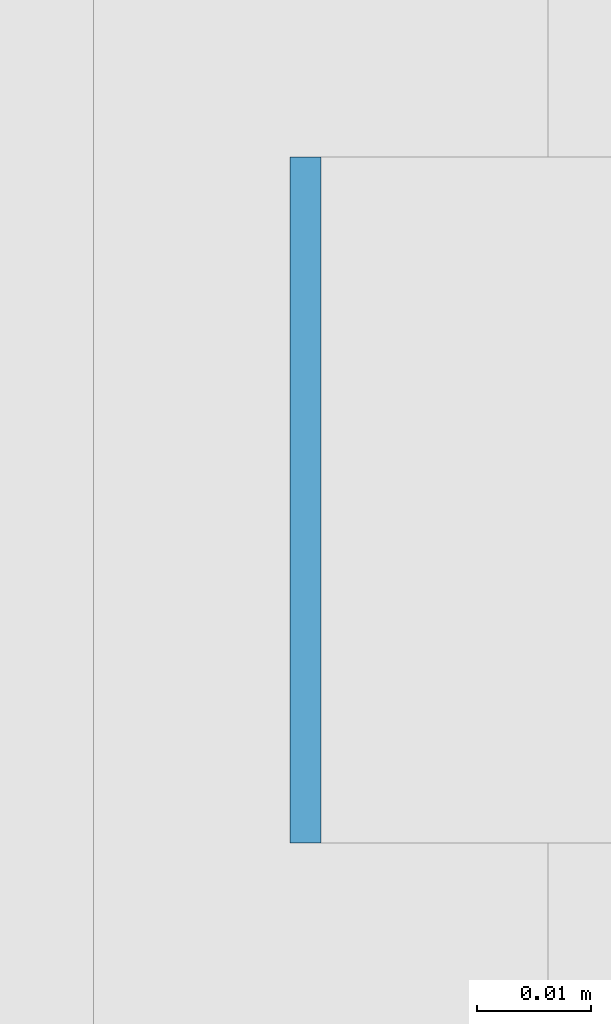
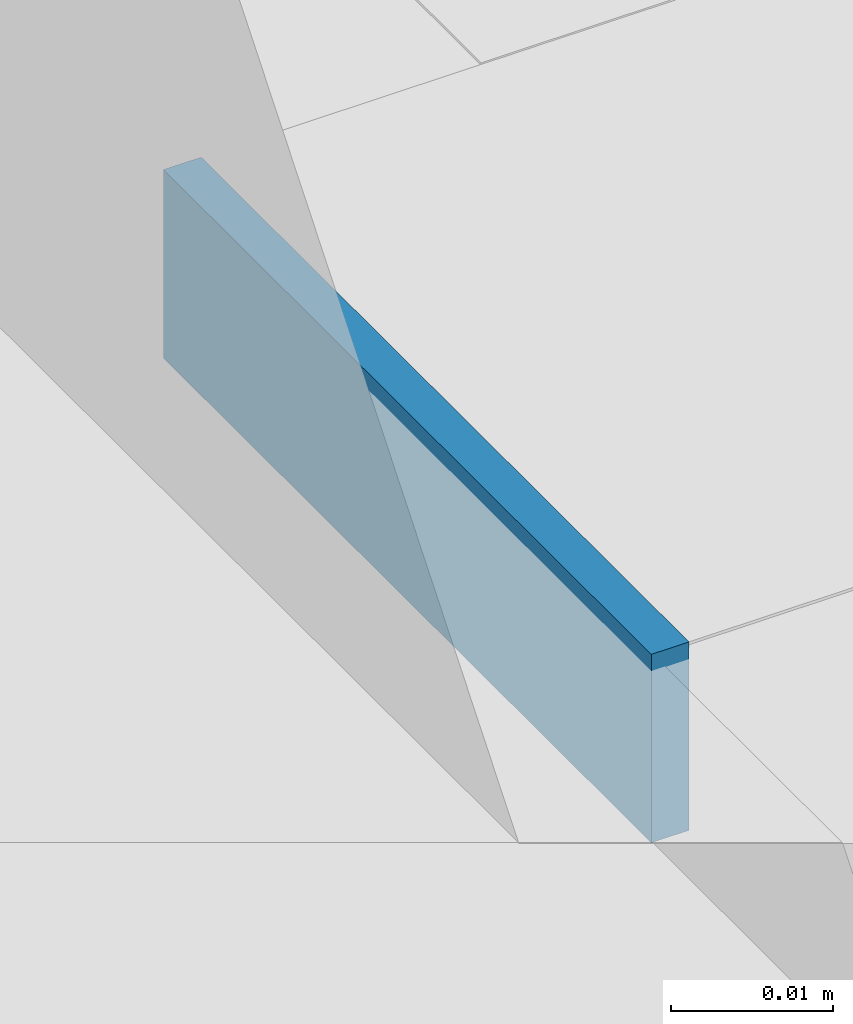
# One storey, part 613 of 646: 1 discrete accessory.
"""IFC4 building model written with IfcOpenShell, lengths in metres."""

import ifcopenshell
import ifcopenshell.guid

model = None  # the IFC model being written
_history = None  # IfcOwnerHistory: only IFC2X3 demands one
_inside = {}  # id of a spatial element -> (the spatial element, [elements in it])
_under = {}  # id of a project, library or spatial element -> (it, [spatial elements below it])
_declared = {}  # id of a project -> (the project, [libraries it declares])
_typed = {}  # id of a type object -> (the type object, [elements of that type])
_made_of = {}  # id of a material, layer set ... -> (it, [elements and type objects made of it])


def new_model(schema):
    """Start an empty IFC model of exactly this schema.

    Asked for "IFC4X3", IfcOpenShell would pick the latest addendum, in which some entities
    have other attributes; the version numbers below select the first issue.
    IFC2X3 requires an IfcOwnerHistory on every rooted entity: one is made here for all.
    """
    global model, _history
    if schema == "IFC4X3":
        model = ifcopenshell.file(schema_version=(4, 3, 0, 0))
    else:
        model = ifcopenshell.file(schema=schema)
    _inside.clear()
    _under.clear()
    _declared.clear()
    _typed.clear()
    _made_of.clear()
    _history = None
    if model.schema == "IFC2X3":
        org = make("IfcOrganization", Name="unknown")
        user = make(
            "IfcPersonAndOrganization",
            ThePerson=make("IfcPerson", FamilyName="unknown"),
            TheOrganization=org,
        )
        app = make(
            "IfcApplication",
            ApplicationDeveloper=org,
            Version="unknown",
            ApplicationFullName="unknown",
            ApplicationIdentifier="unknown",
        )
        _history = make(
            "IfcOwnerHistory",
            OwningUser=user,
            OwningApplication=app,
            ChangeAction="ADDED",
            CreationDate=0,
        )
    return model


def make(cls, **values):
    """One entity of the class cls with the attributes given. An attribute that is None is left unset."""
    return model.create_entity(
        cls, **{name: value for name, value in values.items() if value is not None}
    )


def rooted(cls, **values):
    """An entity with a GlobalId (a new one), such as an element, a storey or a relation."""
    return make(cls, GlobalId=ifcopenshell.guid.new(), OwnerHistory=_history, **values)


def si_unit(unit_type, name, prefix=None):
    """IfcSIUnit, for example si_unit("LENGTHUNIT", "METRE", prefix="MILLI")."""
    return make("IfcSIUnit", UnitType=unit_type, Prefix=prefix, Name=name)


def assignment(units):
    """IfcUnitAssignment: the units of a project."""
    return None if units is None else make("IfcUnitAssignment", Units=units)


def point(xyz):
    """IfcCartesianPoint."""
    return None if xyz is None else make("IfcCartesianPoint", Coordinates=xyz)


def direction(xyz):
    """IfcDirection."""
    return None if xyz is None else make("IfcDirection", DirectionRatios=xyz)


def frame(location, z_axis=None, x_axis=None):
    """IfcAxis2Placement3D, a coordinate frame: its origin and axes. An axis left out is left unset."""
    return make(
        "IfcAxis2Placement3D",
        Location=point(location),
        Axis=direction(z_axis),
        RefDirection=direction(x_axis),
    )


def frame_2d(location, x_axis=None):
    """IfcAxis2Placement2D, a coordinate frame in the plane: its origin and x axis."""
    return make(
        "IfcAxis2Placement2D", Location=point(location), RefDirection=direction(x_axis)
    )


def origin():
    """The frame at (0, 0, 0) with its axes left unset."""
    return frame((0.0, 0.0, 0.0))


def origin_2d():
    """The frame at (0, 0) in the plane with its x axis left unset."""
    return frame_2d((0.0, 0.0))


def place(relative_to, where):
    """IfcLocalPlacement: puts the frame where relative to a parent placement (None: the world)."""
    return make(
        "IfcLocalPlacement", PlacementRelTo=relative_to, RelativePlacement=where
    )


def context(
    kind, dimensions, precision=None, world=None, true_north=None, identifier=None
):
    """IfcGeometricRepresentationContext, for example the 3D "Model" context."""
    return make(
        "IfcGeometricRepresentationContext",
        ContextIdentifier=identifier,
        ContextType=kind,
        CoordinateSpaceDimension=dimensions,
        Precision=precision,
        WorldCoordinateSystem=world,
        TrueNorth=true_north,
    )


def subcontext(parent, identifier, kind, view, scale=None):
    """IfcGeometricRepresentationSubContext, for example "Body" below "Model"."""
    return make(
        "IfcGeometricRepresentationSubContext",
        ContextIdentifier=identifier,
        ContextType=kind,
        ParentContext=parent,
        TargetScale=scale,
        TargetView=view,
    )


def project(units=None, contexts=None):
    """IfcProject with its units and contexts."""
    return rooted(
        "IfcProject",
        Name="project",
        RepresentationContexts=contexts,
        UnitsInContext=assignment(units),
    )


def spatial(cls, under=None, at=None, **own):
    """A site, building, storey or space (cls), placed at a placement, below another one or the project."""
    s = rooted(cls, ObjectPlacement=at, **own)
    if under is not None:
        _under.setdefault(under.id(), (under, []))[1].append(s)
    return s


def profile(cls, at=None, kind="AREA", **sizes):
    """A parametric profile (cls). Its sizes go by their IFC names, for example OverallWidth=200.0."""
    return make(cls, ProfileType=kind, Position=at, **sizes)


def rectangle(**sizes):
    """IfcRectangleProfileDef."""
    return profile("IfcRectangleProfileDef", **sizes)


def extrude(swept, where, along, depth):
    """IfcExtrudedAreaSolid: the profile swept, set in the frame where, extruded along a direction by depth."""
    return make(
        "IfcExtrudedAreaSolid",
        SweptArea=swept,
        Position=where,
        ExtrudedDirection=direction(along),
        Depth=depth,
    )


def shape(context_of_items, identifier, shape_type, items):
    """IfcShapeRepresentation: the items that make up one representation, for example the "Body"."""
    return make(
        "IfcShapeRepresentation",
        ContextOfItems=context_of_items,
        RepresentationIdentifier=identifier,
        RepresentationType=shape_type,
        Items=items,
    )


def material(Name=None, Category=None):
    """IfcMaterial."""
    return make("IfcMaterial", Name=Name, Category=Category)


def made_of(thing, what):
    """Note that an element or type object is made of a material, layer set ...; save() writes the relation."""
    if what is not None:
        _made_of.setdefault(what.id(), (what, []))[1].append(thing)
    return thing


def type_object(cls, material=None, **own):
    """A type object (cls), such as IfcWallType, which elements share."""
    return made_of(rooted(cls, **own), material)


def element(
    cls,
    number,
    at=None,
    inside=None,
    cuts=None,
    type_object=None,
    material=None,
    context=None,
    identifier="Body",
    shape_type=None,
    held_by="IfcProductDefinitionShape",
    body=None,
    shapes=None,
    **own,
):
    """One element of the class cls, such as IfcWall. Its Tag is "e" and its number.

    at: its placement. inside: the storey or other place that contains it. cuts: it is an
    opening in that element (IfcRelVoidsElement). A single representation is given by context,
    identifier, shape_type and body (its items); several are given by shapes. held_by: the class
    of the entity that holds the representations. save() writes the other relations.
    """
    e = rooted(cls, Tag="e%d" % number, ObjectPlacement=at, **own)
    if body is not None:
        shapes = [shape(context, identifier, shape_type, body)]
    if shapes is not None:
        e.Representation = make(held_by, Representations=shapes)
    if inside is not None:
        _inside.setdefault(inside.id(), (inside, []))[1].append(e)
    if cuts is not None:
        rooted(
            "IfcRelVoidsElement", RelatingBuildingElement=cuts, RelatedOpeningElement=e
        )
    if type_object is not None:
        _typed.setdefault(type_object.id(), (type_object, []))[1].append(e)
    return made_of(e, material)


def aggregate(whole, parts):
    """IfcRelAggregates: a whole, such as a stair, and the parts it consists of."""
    return rooted("IfcRelAggregates", RelatingObject=whole, RelatedObjects=parts)


def save(model, path):
    """Write the relations noted so far, then the file.

    IfcRelAggregates (storeys below a building ...), IfcRelContainedInSpatialStructure (elements
    in a storey), IfcRelDefinesByType, IfcRelAssociatesMaterial and IfcRelDeclares: one each for
    every whole, place, type object, material and project.
    """
    for whole, parts in _under.values():
        aggregate(whole, parts)
    for where, things in _inside.values():
        rooted(
            "IfcRelContainedInSpatialStructure",
            RelatedElements=things,
            RelatingStructure=where,
        )
    for kind, things in _typed.values():
        rooted("IfcRelDefinesByType", RelatedObjects=things, RelatingType=kind)
    for what, things in _made_of.values():
        rooted("IfcRelAssociatesMaterial", RelatedObjects=things, RelatingMaterial=what)
    for by, libraries in _declared.values():
        rooted("IfcRelDeclares", RelatingContext=by, RelatedDefinitions=libraries)
    model.write(path)


model = new_model("IFC4")

# Units and contexts
model_context = context("Model", 3, precision=1e-05, world=origin(), true_north=direction((0.0, 1.0)))
body_context = subcontext(model_context, "Body", "Model", "MODEL_VIEW")
ifc_project = project(units=[si_unit("LENGTHUNIT", "METRE"), si_unit("AREAUNIT", "SQUARE_METRE"), si_unit("VOLUMEUNIT", "CUBIC_METRE"), si_unit("PLANEANGLEUNIT", "RADIAN"), si_unit("MASSUNIT", "GRAM", prefix="KILO")], contexts=[model_context])

# Site, building, storey
site_placement = place(None, origin())
site = spatial("IfcSite", under=ifc_project, at=site_placement, CompositionType="ELEMENT")
building_placement = place(site_placement, origin())
building = spatial("IfcBuilding", under=site, at=building_placement, Name="Silverbay Arena", CompositionType="ELEMENT")
storey_placement = place(building_placement, frame((0.0, 0.0, 33.5)))
storey = spatial("IfcBuildingStorey", under=building, at=storey_placement, Name="L05", CompositionType="ELEMENT", Elevation=33.5)

# Discrete accessory
ifc_material = material(Name="Steel S355", Category="steel")
discrete_accessory_type = type_object("IfcDiscreteAccessoryType", Name="Steel bracket plate", PredefinedType="BRACKET", material=ifc_material)
discrete_accessory_placement = place(storey_placement, frame((207.128662109375, 131.7333984375, 12.98583984375), z_axis=(0.0, 0.0, 1.0), x_axis=(1.0, 0.0, 0.0)))
element("IfcDiscreteAccessory", 1, at=discrete_accessory_placement, inside=storey, type_object=discrete_accessory_type, Name="Curtain wall packing plate", PredefinedType="BRACKET", context=body_context, shape_type="SweptSolid", body=[
    extrude(rectangle(XDim=0.002685546875, YDim=0.06005859375, at=origin_2d()), origin(), (0.0, 0.0, 1.0), 0.01416015625),
])

save(model, "model.ifc")
